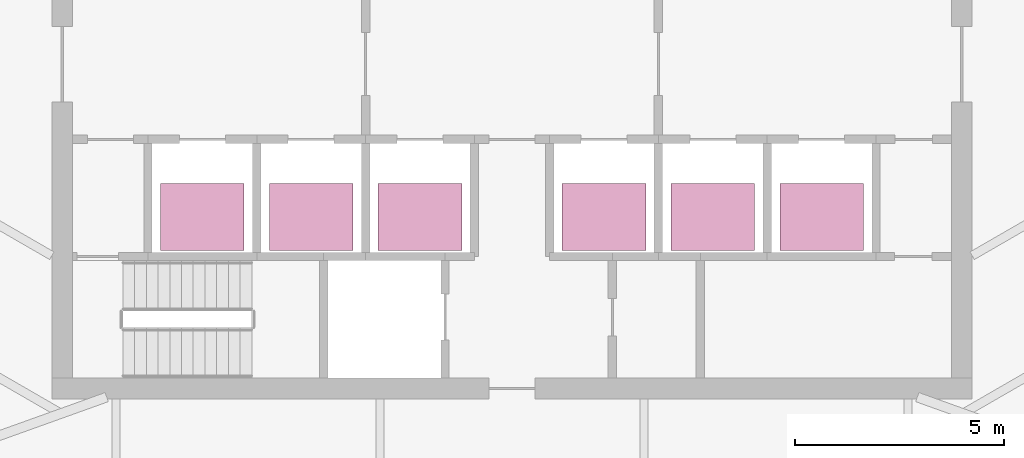
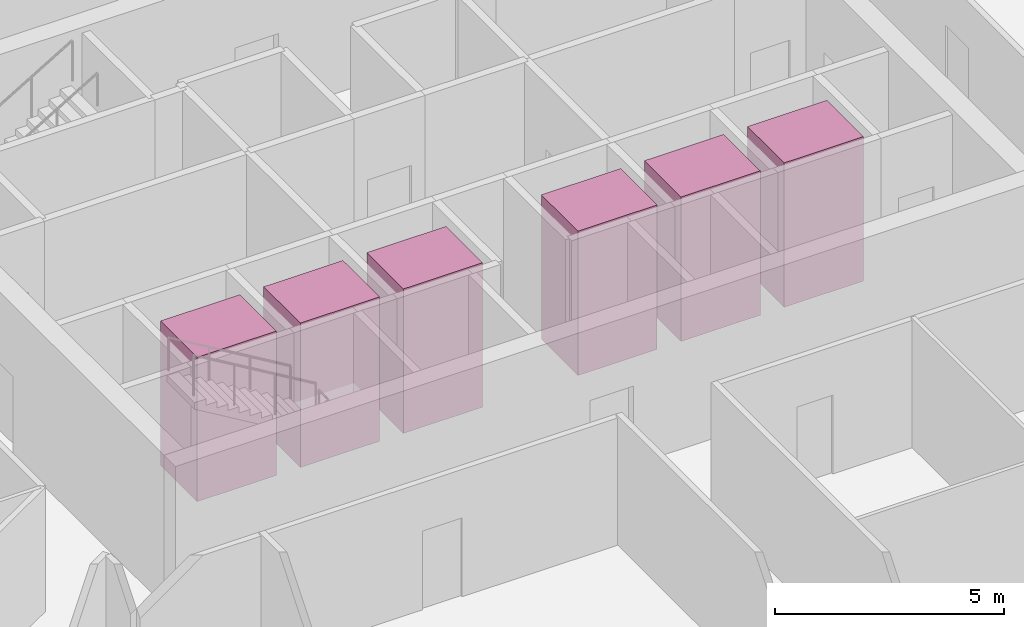
# One storey, part 19 of 19: 6 transport elements.
"""IFC4 building model written with IfcOpenShell, lengths in metres."""

from ifc_helpers import new_model, si_unit, direction, frame, origin, origin_2d, place, context, subcontext, project, spatial, rectangle, extrude, material, type_object, element, save


model = new_model("IFC4")

# Units and contexts
model_context = context("Model", 3, precision=1e-05, world=origin(), true_north=direction((0.0, 1.0)))
body_context = subcontext(model_context, "Body", "Model", "MODEL_VIEW")
ifc_project = project(units=[si_unit("LENGTHUNIT", "METRE"), si_unit("AREAUNIT", "SQUARE_METRE"), si_unit("VOLUMEUNIT", "CUBIC_METRE"), si_unit("PLANEANGLEUNIT", "RADIAN"), si_unit("MASSUNIT", "GRAM", prefix="KILO")], contexts=[model_context])

# Site, building, storey
site_placement = place(None, origin())
site = spatial("IfcSite", under=ifc_project, at=site_placement, CompositionType="ELEMENT")
building_placement = place(site_placement, origin())
building = spatial("IfcBuilding", under=site, at=building_placement, Name="Sierra Prisma Convention Tower", CompositionType="ELEMENT")
storey_placement = place(building_placement, frame((0.0, 0.0, 295.0)))
storey = spatial("IfcBuildingStorey", under=building, at=storey_placement, Name="L67", CompositionType="ELEMENT", Elevation=295.0)

# Transport elements
ifc_material = material(Name="Stainless steel", Category="steel")
transport_element_type = type_object("IfcTransportElementType", Name="Lift car office high 2000x1600 1600 kg", PredefinedType="ELEVATOR", material=ifc_material)
for number, where, z_axis, x_axis, name in (
    (1, (-7.39990234375, -3.64990234375, 0.0), (0.0, 0.0, 1.0), (1.0, 0.0, 0.0), "Lift OH1"),
    (2, (-4.800048828125, -3.64990234375, 0.0), (0.0, 0.0, 1.0), (1.0, 0.0, 0.0), "Lift OH2"),
    (3, (-2.199951171875, -3.64990234375, 0.0), (0.0, 0.0, 1.0), (1.0, 0.0, 0.0), "Lift OH3"),
    (4, (2.199951171875, -3.64990234375, 0.0), (0.0, 0.0, 1.0), (1.0, 0.0, 0.0), "Lift OH4"),
    (5, (4.800048828125, -3.64990234375, 0.0), (0.0, 0.0, 1.0), (1.0, 0.0, 0.0), "Lift OH5"),
    (6, (7.39990234375, -3.64990234375, 0.0), (0.0, 0.0, 1.0), (1.0, 0.0, 0.0), "Lift OH6"),
):
    element("IfcTransportElement", number, at=place(storey_placement, frame(where, z_axis=z_axis, x_axis=x_axis)), inside=storey, type_object=transport_element_type, Name=name, PredefinedType="ELEVATOR", context=body_context, shape_type="SweptSolid", body=[
        extrude(rectangle(XDim=2.0, YDim=1.60009765625, at=origin_2d()), origin(), (0.0, 0.0, 1.0), 3.85009765625),
    ])

save(model, "model.ifc")
